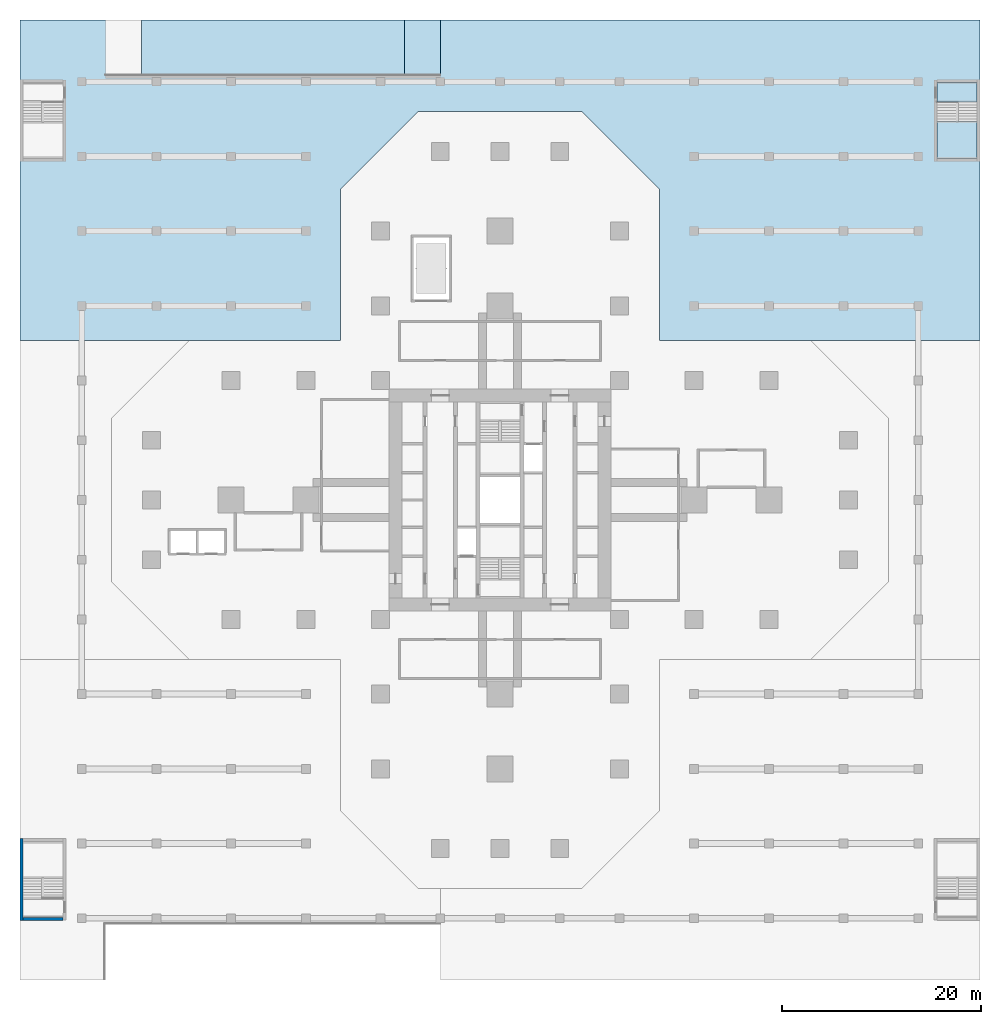
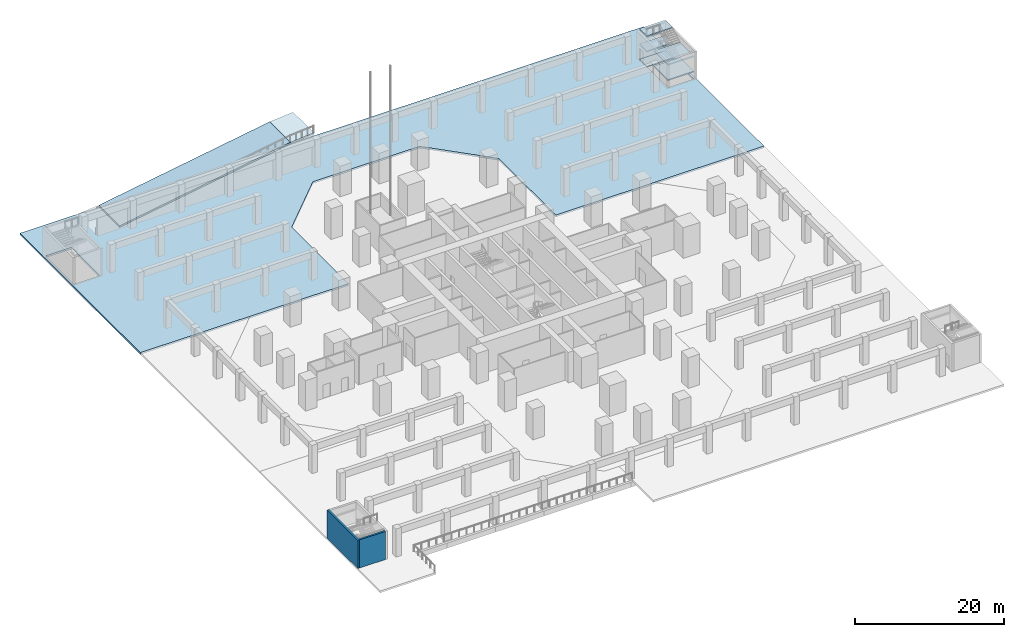
# One storey, part 3 of 20: 8 slabs, 2 walls, 1 element without a shape of its own.
"""IFC4 building model written with IfcOpenShell, lengths in metres."""

from ifc_helpers import new_model, si_unit, direction, frame, frame_2d, origin, place, context, subcontext, project, spatial, polyline, rectangle, outline, extrude, material, layer, layer_set, type_object, element, aggregate, save


model = new_model("IFC4")

# Units and contexts
model_context = context("Model", 3, precision=1e-05, world=origin(), true_north=direction((0.0, 1.0)))
body_context = subcontext(model_context, "Body", "Model", "MODEL_VIEW")
ifc_project = project(units=[si_unit("LENGTHUNIT", "METRE"), si_unit("AREAUNIT", "SQUARE_METRE"), si_unit("VOLUMEUNIT", "CUBIC_METRE"), si_unit("PLANEANGLEUNIT", "RADIAN"), si_unit("MASSUNIT", "GRAM", prefix="KILO")], contexts=[model_context])

# Site, building, storey
site_placement = place(None, origin())
site = spatial("IfcSite", under=ifc_project, at=site_placement, CompositionType="ELEMENT")
building_placement = place(site_placement, origin())
building = spatial("IfcBuilding", under=site, at=building_placement, Name="Mizan Broadcast Tower", CompositionType="ELEMENT")
storey_placement = place(building_placement, frame((0.0, 0.0, -5.0)))
storey = spatial("IfcBuildingStorey", under=building, at=storey_placement, Name="B1", CompositionType="ELEMENT", Elevation=-5.0)

# Slab
ifc_material_1 = material(Name="Concrete C40/50", Category="concrete")
ifc_layer_1 = layer(ifc_material_1, 0.300048828125)
ifc_layer_set_1 = layer_set([ifc_layer_1], Name="Concrete C40/50")
slab_type_1 = type_object("IfcSlabType", Name="RC FLAT SLAB 300", PredefinedType="FLOOR", material=ifc_layer_set_1)
slab_1_placement = place(storey_placement, frame((0.0, 0.0, -0.300048828125)))
element("IfcSlab", 1, at=slab_1_placement, inside=storey, type_object=slab_type_1, Name="Floor slab B1 north bay", PredefinedType="FLOOR", context=body_context, shape_type="SweptSolid", body=[
    extrude(outline(polyline([(-48.199951171875, 48.199951171875), (-48.199951171875, 16.0), (-31.24267578125, 16.0), (-16.0, 16.0), (-16.0, 31.24267578125), (-8.24267578125, 39.0), (8.24267578125, 39.0), (16.0, 31.24267578125), (16.0, 16.0), (31.24267578125, 16.0), (48.199951171875, 16.0), (48.199951171875, 48.199951171875), (-48.199951171875, 48.199951171875)]), holes=[polyline([(47.89990234375, 41.89990234375), (47.89990234375, 34.300048828125), (43.89990234375, 34.300048828125), (43.89990234375, 41.89990234375), (47.89990234375, 41.89990234375)]), polyline([(-43.89990234375, 34.300048828125), (-47.89990234375, 34.300048828125), (-47.89990234375, 41.89990234375), (-43.89990234375, 41.89990234375), (-43.89990234375, 34.300048828125)])]), origin(), (0.0, 0.0, 1.0), 0.300048828125),
])

# Stair, slabs
ifc_material_2 = material(Name="Concrete C40/50", Category="concrete")
stair_type = type_object("IfcStairType", Name="EXIT STAIR", PredefinedType="HALF_TURN_STAIR", material=ifc_material_2)
stair_placement = place(storey_placement, origin())
stair = element("IfcStair", 2, at=stair_placement, inside=storey, type_object=stair_type, Name="Stair E B1", PredefinedType="HALF_TURN_STAIR")
ifc_material_3 = material(Name="Concrete C40/50", Category="concrete")
ifc_layer_2 = layer(ifc_material_3, 0.199951171875)
ifc_layer_set_2 = layer_set([ifc_layer_2], Name="Concrete C40/50")
slab_type_2 = type_object("IfcSlabType", Name="STAIR LANDING 200", PredefinedType="LANDING", material=ifc_layer_set_2)
slab_2_placement = place(storey_placement, frame((0.0, 0.0, -0.199951171875)))
slab_2 = element("IfcSlab", 3, at=slab_2_placement, type_object=slab_type_2, Name="E landing 1", PredefinedType="LANDING", context=body_context, shape_type="SweptSolid", body=[
    extrude(outline(polyline([(43.89990234375, 41.89990234375), (43.89990234375, 39.949951171875), (47.89990234375, 39.949951171875), (47.89990234375, 41.89990234375), (43.89990234375, 41.89990234375)])), origin(), (0.0, 0.0, 1.0), 0.199951171875),
])
slab_3_placement = place(storey_placement, frame((0.0, 0.0, 1.050048828125)))
slab_3 = element("IfcSlab", 4, at=slab_3_placement, type_object=slab_type_2, Name="E landing 2", PredefinedType="LANDING", context=body_context, shape_type="SweptSolid", body=[
    extrude(outline(polyline([(43.89990234375, 37.989990234375), (43.89990234375, 34.300048828125), (47.89990234375, 34.300048828125), (47.89990234375, 37.989990234375), (43.89990234375, 37.989990234375)])), origin(), (0.0, 0.0, 1.0), 0.199951171875),
])
slab_4_placement = place(storey_placement, frame((0.0, 0.0, 2.300048828125)))
slab_4 = element("IfcSlab", 5, at=slab_4_placement, type_object=slab_type_2, Name="E landing 3", PredefinedType="LANDING", context=body_context, shape_type="SweptSolid", body=[
    extrude(outline(polyline([(43.89990234375, 41.89990234375), (43.89990234375, 39.949951171875), (47.89990234375, 39.949951171875), (47.89990234375, 41.89990234375), (43.89990234375, 41.89990234375)])), origin(), (0.0, 0.0, 1.0), 0.199951171875),
])
slab_5_placement = place(storey_placement, frame((0.0, 0.0, 3.550048828125)))
slab_5 = element("IfcSlab", 6, at=slab_5_placement, type_object=slab_type_2, Name="E landing 4", PredefinedType="LANDING", context=body_context, shape_type="SweptSolid", body=[
    extrude(outline(polyline([(43.89990234375, 37.989990234375), (43.89990234375, 34.300048828125), (47.89990234375, 34.300048828125), (47.89990234375, 37.989990234375), (43.89990234375, 37.989990234375)])), origin(), (0.0, 0.0, 1.0), 0.199951171875),
])
slab_6_placement = place(storey_placement, frame((0.0, 0.0, 4.800048828125)))
slab_6 = element("IfcSlab", 7, at=slab_6_placement, type_object=slab_type_2, Name="E landing 5", PredefinedType="LANDING", context=body_context, shape_type="SweptSolid", body=[
    extrude(outline(polyline([(43.89990234375, 41.89990234375), (43.89990234375, 39.949951171875), (47.89990234375, 39.949951171875), (47.89990234375, 41.89990234375), (43.89990234375, 41.89990234375)])), origin(), (0.0, 0.0, 1.0), 0.199951171875),
])
aggregate(stair, [slab_2, slab_3, slab_4, slab_5, slab_6])

# Slabs
ifc_material_4 = material(Name="Concrete C40/50", Category="concrete")
ifc_layer_3 = layer(ifc_material_4, 0.25)
ifc_layer_set_3 = layer_set([ifc_layer_3], Name="Concrete C40/50")
slab_type_3 = type_object("IfcSlabType", Name="VEHICLE RAMP SLAB 250", PredefinedType="USERDEFINED", material=ifc_layer_set_3)
slab_7_placement = place(storey_placement, frame((-6.0, 42.64990234375, 5.0), z_axis=(-0.083056665618, 0.0, 0.996544826035), x_axis=(-0.996544826035, 0.0, -0.083056665618)))
element("IfcSlab", 8, at=slab_7_placement, inside=storey, type_object=slab_type_3, Name="Vehicle ramp R1 slab 1", ObjectType="RAMP", PredefinedType="USERDEFINED", context=body_context, shape_type="SweptSolid", body=[
    extrude(outline(polyline([(0.0, 0.0), (3.6125797477420383, 0.0), (3.6125797477420383, -5.550048828125), (0.0, -5.550048828125), (0.0, 0.0)])), origin(), (0.083056665618, 0.0, -0.996544826035), 0.25),
])
slab_8_placement = place(storey_placement, frame((-9.60009765625, 42.64990234375, 4.699951171875), z_axis=(-0.16439602883, 0.0, 0.986394416907), x_axis=(-0.986394416907, 0.0, -0.16439602883)))
element("IfcSlab", 9, at=slab_8_placement, inside=storey, type_object=slab_type_3, Name="Vehicle ramp R1 slab 2", ObjectType="RAMP", PredefinedType="USERDEFINED", context=body_context, shape_type="SweptSolid", body=[
    extrude(outline(polyline([(0.0, 0.0), (26.76404275131232, 0.0), (26.76404275131232, -5.550048828125), (0.0, -5.550048828125), (0.0, 0.0)])), origin(), (0.16439602883, 0.0, -0.986394416907), 0.25),
])

# Walls
ifc_material_5 = material(Name="Concrete C40/50", Category="concrete")
ifc_layer_4 = layer(ifc_material_5, 0.300048828125)
ifc_layer_set_4 = layer_set([ifc_layer_4], Name="Concrete C40/50")
wall_type = type_object("IfcWallType", Name="STAIR SHAFT WALL 300 RC", PredefinedType="SOLIDWALL", material=ifc_layer_set_4)
wall_1_placement = place(storey_placement, frame((-48.050048828125, -34.0, 0.0), z_axis=(0.0, 0.0, 1.0), x_axis=(0.0, -1.0, 0.0)))
element("IfcWall", 10, at=wall_1_placement, inside=storey, type_object=wall_type, Name="Stair shaft wall G O", PredefinedType="SOLIDWALL", context=body_context, shape_type="SweptSolid", body=[
    extrude(rectangle(XDim=8.199951171875, YDim=0.300048828125, at=frame_2d((4.10009765625, 0.0))), origin(), (0.0, 0.0, 1.0), 4.60009765625),
])
wall_2_placement = place(storey_placement, frame((-43.89990234375, -42.050048828125, 0.0), z_axis=(0.0, 0.0, 1.0), x_axis=(-1.0, 0.0, 0.0)))
element("IfcWall", 11, at=wall_2_placement, inside=storey, type_object=wall_type, Name="Stair shaft wall G D", PredefinedType="SOLIDWALL", context=body_context, shape_type="SweptSolid", body=[
    extrude(rectangle(XDim=4.0, YDim=0.300048828125, at=frame_2d((2.0, 0.0))), origin(), (0.0, 0.0, 1.0), 4.60009765625),
])

save(model, "model.ifc")
